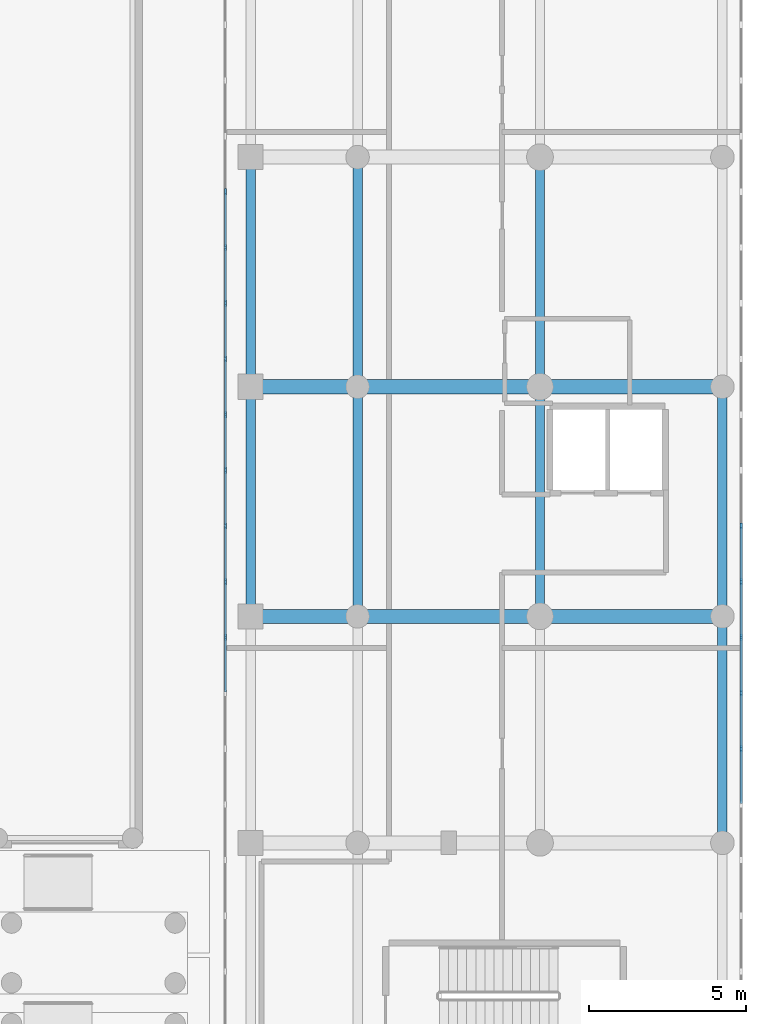
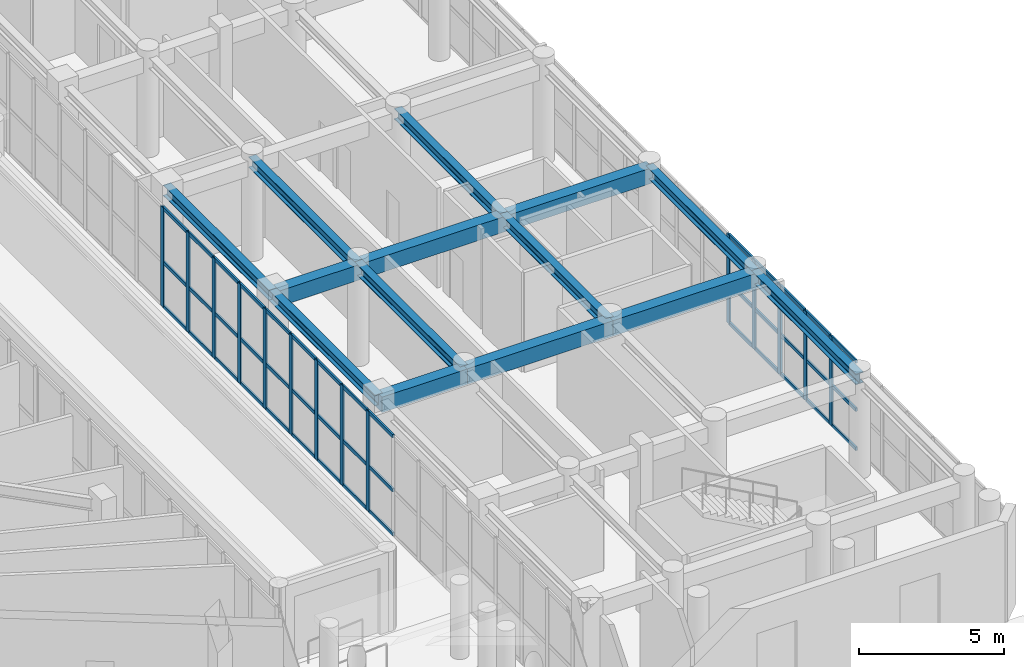
# One storey, part 7 of 30: 56 members, 14 beams, 2 elements without a shape of their own.
"""IFC4 building model written with IfcOpenShell, lengths in metres."""

from ifc_helpers import new_model, si_unit, direction, frame, origin, origin_with_axes, origin_2d, place, context, subcontext, project, spatial, rectangle, i_section, extrude, source, transform, mapped, material, layer, layer_set, material_profile, profile_set, type_object, element, aggregate, save


model = new_model("IFC4")

# Units and contexts
model_context = context("Model", 3, precision=1e-05, world=origin(), true_north=direction((0.0, 1.0)))
body_context = subcontext(model_context, "Body", "Model", "MODEL_VIEW")
ifc_project = project(units=[si_unit("LENGTHUNIT", "METRE"), si_unit("AREAUNIT", "SQUARE_METRE"), si_unit("VOLUMEUNIT", "CUBIC_METRE"), si_unit("PLANEANGLEUNIT", "RADIAN"), si_unit("MASSUNIT", "GRAM", prefix="KILO")], contexts=[model_context])

# Site, building, storey
site_placement = place(None, origin())
site = spatial("IfcSite", under=ifc_project, at=site_placement, CompositionType="ELEMENT")
building_placement = place(site_placement, origin())
building = spatial("IfcBuilding", under=site, at=building_placement, Name="Karkom Vertical University and Central Library", CompositionType="ELEMENT")
storey_placement = place(building_placement, origin())
storey = spatial("IfcBuildingStorey", under=building, at=storey_placement, Name="L00", CompositionType="ELEMENT", Elevation=0.0)

# Beams
ifc_material_1 = material(Name="Concrete C40/50", Category="concrete")
ifc_material_profile_1 = material_profile(ifc_material_1, rectangle(XDim=0.449951171875, YDim=0.64990234375, at=origin_2d()), Name="RCB-450x650")
ifc_profile_set_1 = profile_set([ifc_material_profile_1], Name="Concrete C40/50")
beam_type_1 = type_object("IfcBeamType", Name="STR-BM-BG-4", PredefinedType="USERDEFINED", material=ifc_profile_set_1)
shared_shape_1 = source(origin_with_axes(), body_context, "Body", "SweptSolid", [
    extrude(rectangle(XDim=0.449951171875, YDim=0.64990234375, at=origin_2d()), origin(), (0.0, 0.0, 1.0), 3.400146484375),
])
for number, where, z_axis, x_axis, name in (
    (1, (66.199951171875, 19.199951171875, 3.875), (1.0, 0.0, 0.0), (0.0, 1.0, 0.0), "Level 00 Library Transverse Girder 3.1"),
    (2, (66.199951171875, 26.5, 3.875), (1.0, 0.0, 0.0), (0.0, 1.0, 0.0), "Level 00 Library Transverse Girder 4.1"),
):
    element("IfcBeam", number, at=place(storey_placement, frame(where, z_axis=z_axis, x_axis=x_axis)), inside=storey, type_object=beam_type_1, Name=name, ObjectType="GIRDER", PredefinedType="USERDEFINED", context=body_context, shape_type="MappedRepresentation", body=[
        mapped(shared_shape_1, transform((0.0, 0.0, 0.0), scale=1.0)),
    ])
shared_shape_2 = source(origin_with_axes(), body_context, "Body", "SweptSolid", [
    extrude(rectangle(XDim=0.449951171875, YDim=0.64990234375, at=origin_2d()), origin(), (0.0, 0.0, 1.0), 5.7998046875),
])
for number, where, z_axis, x_axis, name in (
    (3, (69.60009765625, 19.199951171875, 3.875), (1.0, 0.0, 0.0), (0.0, 1.0, 0.0), "Level 00 Library Transverse Girder 3.2"),
    (4, (69.60009765625, 26.5, 3.875), (1.0, 0.0, 0.0), (0.0, 1.0, 0.0), "Level 00 Library Transverse Girder 4.2"),
):
    element("IfcBeam", number, at=place(storey_placement, frame(where, z_axis=z_axis, x_axis=x_axis)), inside=storey, type_object=beam_type_1, Name=name, ObjectType="GIRDER", PredefinedType="USERDEFINED", context=body_context, shape_type="MappedRepresentation", body=[
        mapped(shared_shape_2, transform((0.0, 0.0, 0.0), scale=1.0)),
    ])
shared_shape_3 = source(origin_with_axes(), body_context, "Body", "SweptSolid", [
    extrude(rectangle(XDim=0.449951171875, YDim=0.64990234375, at=origin_2d()), origin(), (0.0, 0.0, 1.0), 5.800048828125),
])
for number, where, z_axis, x_axis, name in (
    (5, (75.39990234375, 19.199951171875, 3.875), (1.0, 0.0, 0.0), (0.0, 1.0, 0.0), "Level 00 Library Transverse Girder 3.3"),
    (6, (75.39990234375, 26.5, 3.875), (1.0, 0.0, 0.0), (0.0, 1.0, 0.0), "Level 00 Library Transverse Girder 4.3"),
):
    element("IfcBeam", number, at=place(storey_placement, frame(where, z_axis=z_axis, x_axis=x_axis)), inside=storey, type_object=beam_type_1, Name=name, ObjectType="GIRDER", PredefinedType="USERDEFINED", context=body_context, shape_type="MappedRepresentation", body=[
        mapped(shared_shape_3, transform((0.0, 0.0, 0.0), scale=1.0)),
    ])
ifc_material_2 = material(Name="Steel S355", Category="steel")
ifc_material_profile_2 = material_profile(ifc_material_2, i_section(OverallWidth=0.300048828125, OverallDepth=0.449951171875, WebThickness=0.013916015625, FlangeThickness=0.02587890625, FilletRadius=0.027099609375, at=origin_2d()), Name="HE 450 B")
ifc_profile_set_2 = profile_set([ifc_material_profile_2], Name="Steel S355")
beam_type_2 = type_object("IfcBeamType", Name="STR-BM-SB-HE450", PredefinedType="BEAM", material=ifc_profile_set_2)
shared_shape_4 = source(origin_with_axes(), body_context, "Body", "SweptSolid", [
    extrude(i_section(OverallWidth=0.300048828125, OverallDepth=0.449951171875, WebThickness=0.013916015625, FlangeThickness=0.02587890625, FilletRadius=0.027099609375, at=origin_2d()), origin(), (0.0, 0.0, 1.0), 7.199951171875),
])
beam_placement = place(storey_placement, frame((81.199951171875, 12.0, 3.97509765625), z_axis=(0.0, 1.0, 0.0), x_axis=(-1.0, 0.0, 0.0)))
element("IfcBeam", 7, at=beam_placement, inside=storey, type_object=beam_type_2, Name="Level 00 Library Longitudinal Beam 4.2", PredefinedType="BEAM", context=body_context, shape_type="MappedRepresentation", body=[
    mapped(shared_shape_4, transform((0.0, 0.0, 0.0), scale=1.0)),
])
shared_shape_5 = source(origin_with_axes(), body_context, "Body", "SweptSolid", [
    extrude(i_section(OverallWidth=0.300048828125, OverallDepth=0.449951171875, WebThickness=0.013916015625, FlangeThickness=0.02587890625, FilletRadius=0.027099609375, at=origin_2d()), origin(), (0.0, 0.0, 1.0), 7.300048828125),
])
for number, where, z_axis, x_axis, name in (
    (8, (66.199951171875, 19.199951171875, 3.97509765625), (0.0, 1.0, 0.0), (-1.0, 0.0, 0.0), "Level 00 Library Longitudinal Beam 1.3"),
    (9, (66.199951171875, 26.5, 3.97509765625), (0.0, 1.0, 0.0), (-1.0, 0.0, 0.0), "Level 00 Library Longitudinal Beam 1.4"),
    (10, (69.60009765625, 19.199951171875, 3.97509765625), (0.0, 1.0, 0.0), (-1.0, 0.0, 0.0), "Level 00 Library Longitudinal Beam 2.3"),
    (11, (69.60009765625, 26.5, 3.97509765625), (0.0, 1.0, 0.0), (-1.0, 0.0, 0.0), "Level 00 Library Longitudinal Beam 2.4"),
    (12, (75.39990234375, 19.199951171875, 3.97509765625), (0.0, 1.0, 0.0), (-1.0, 0.0, 0.0), "Level 00 Library Longitudinal Beam 3.3"),
    (13, (75.39990234375, 26.5, 3.97509765625), (0.0, 1.0, 0.0), (-1.0, 0.0, 0.0), "Level 00 Library Longitudinal Beam 3.4"),
    (14, (81.199951171875, 19.199951171875, 3.97509765625), (0.0, 1.0, 0.0), (-1.0, 0.0, 0.0), "Level 00 Library Longitudinal Beam 4.3"),
):
    element("IfcBeam", number, at=place(storey_placement, frame(where, z_axis=z_axis, x_axis=x_axis)), inside=storey, type_object=beam_type_2, Name=name, PredefinedType="BEAM", context=body_context, shape_type="MappedRepresentation", body=[
        mapped(shared_shape_5, transform((0.0, 0.0, 0.0), scale=1.0)),
    ])

# Curtain wall, members
ifc_material_3 = material(Name="Aluminium curtain-wall framing and low-E IGU", Category="aluminium")
ifc_layer = layer(ifc_material_3, 0.199951171875)
ifc_layer_set = layer_set([ifc_layer], Name="Aluminium curtain-wall framing and low-E IGU")
curtain_wall_type = type_object("IfcCurtainWallType", Name="ENV-CW-1", PredefinedType="USERDEFINED", material=ifc_layer_set)
curtain_wall_1_placement = place(storey_placement, origin())
curtain_wall_1 = element("IfcCurtainWall", 15, at=curtain_wall_1_placement, inside=storey, type_object=curtain_wall_type, Name="Level 00 CW-1 Curtain Wall L00-CW-1-LIB-3", ObjectType="STICK MULLION GLAZING", PredefinedType="USERDEFINED")
ifc_material_4 = material(Name="Anodised Aluminium 6063-T6", Category="aluminium")
ifc_material_profile_3 = material_profile(ifc_material_4, rectangle(XDim=0.070068359375, YDim=0.199951171875, at=origin_2d()), Name="ALU-M70x200")
ifc_profile_set_3 = profile_set([ifc_material_profile_3], Name="Anodised Aluminium 6063-T6")
member_type_1 = type_object("IfcMemberType", Name="ENV-MEM-ALU-M70x200", PredefinedType="MULLION", material=ifc_profile_set_3)
shared_shape_6 = source(origin_with_axes(), body_context, "Body", "SweptSolid", [
    extrude(rectangle(XDim=0.070068359375, YDim=0.199951171875, at=origin_2d()), origin(), (0.0, 0.0, 1.0), 3.75),
])
member_1_placement = place(storey_placement, frame((81.800048828125, 14.99267578125, 0.0), z_axis=(0.0, 0.0, 1.0), x_axis=(-1.0, 0.0, 0.0)))
member_1 = element("IfcMember", 16, at=member_1_placement, type_object=member_type_1, Name="CW-1 mullion 8", PredefinedType="MULLION", context=body_context, shape_type="MappedRepresentation", body=[
    mapped(shared_shape_6, transform((0.0, 0.0, 0.0), scale=1.0)),
])
member_2_placement = place(storey_placement, frame((81.800048828125, 16.762939453125, 0.0), z_axis=(0.0, 0.0, 1.0), x_axis=(-1.0, 0.0, 0.0)))
member_2 = element("IfcMember", 17, at=member_2_placement, type_object=member_type_1, Name="CW-1 mullion 9", PredefinedType="MULLION", context=body_context, shape_type="MappedRepresentation", body=[
    mapped(shared_shape_6, transform((0.0, 0.0, 0.0), scale=1.0)),
])
member_3_placement = place(storey_placement, frame((81.800048828125, 18.533447265625, 0.0), z_axis=(0.0, 0.0, 1.0), x_axis=(-1.0, 0.0, 0.0)))
member_3 = element("IfcMember", 18, at=member_3_placement, type_object=member_type_1, Name="CW-1 mullion 10", PredefinedType="MULLION", context=body_context, shape_type="MappedRepresentation", body=[
    mapped(shared_shape_6, transform((0.0, 0.0, 0.0), scale=1.0)),
])
member_4_placement = place(storey_placement, frame((81.800048828125, 20.3037109375, 0.0), z_axis=(0.0, 0.0, 1.0), x_axis=(-1.0, 0.0, 0.0)))
member_4 = element("IfcMember", 19, at=member_4_placement, type_object=member_type_1, Name="CW-1 mullion 11", PredefinedType="MULLION", context=body_context, shape_type="MappedRepresentation", body=[
    mapped(shared_shape_6, transform((0.0, 0.0, 0.0), scale=1.0)),
])
member_5_placement = place(storey_placement, frame((81.800048828125, 22.073974609375, 0.0), z_axis=(0.0, 0.0, 1.0), x_axis=(-1.0, 0.0, 0.0)))
member_5 = element("IfcMember", 20, at=member_5_placement, type_object=member_type_1, Name="CW-1 mullion 12", PredefinedType="MULLION", context=body_context, shape_type="MappedRepresentation", body=[
    mapped(shared_shape_6, transform((0.0, 0.0, 0.0), scale=1.0)),
])
ifc_material_profile_4 = material_profile(ifc_material_4, rectangle(XDim=0.070068359375, YDim=0.14990234375, at=origin_2d()), Name="ALU-T70x150")
ifc_profile_set_4 = profile_set([ifc_material_profile_4], Name="Anodised Aluminium 6063-T6")
member_type_2 = type_object("IfcMemberType", Name="ENV-MEM-ALU-T70x150", PredefinedType="USERDEFINED", material=ifc_profile_set_4)
shared_shape_7 = source(origin_with_axes(), body_context, "Body", "SweptSolid", [
    extrude(rectangle(XDim=0.070068359375, YDim=0.14990234375, at=origin_2d()), origin(), (0.0, 0.0, 1.0), 1.700439453125),
])
member_6_placement = place(storey_placement, frame((81.800048828125, 15.027587890625, 0.034912109375), z_axis=(0.0, 1.0, 0.0), x_axis=(-1.0, 0.0, 0.0)))
member_6 = element("IfcMember", 21, at=member_6_placement, type_object=member_type_2, Name="CW-1 transom 8.1", ObjectType="TRANSOM", PredefinedType="USERDEFINED", context=body_context, shape_type="MappedRepresentation", body=[
    mapped(shared_shape_7, transform((0.0, 0.0, 0.0), scale=1.0)),
])
member_7_placement = place(storey_placement, frame((81.800048828125, 15.027587890625, 1.6875), z_axis=(0.0, 1.0, 0.0), x_axis=(-1.0, 0.0, 0.0)))
member_7 = element("IfcMember", 22, at=member_7_placement, type_object=member_type_2, Name="CW-1 transom 8.2", ObjectType="TRANSOM", PredefinedType="USERDEFINED", context=body_context, shape_type="MappedRepresentation", body=[
    mapped(shared_shape_7, transform((0.0, 0.0, 0.0), scale=1.0)),
])
member_8_placement = place(storey_placement, frame((81.800048828125, 15.027587890625, 3.715087890625), z_axis=(0.0, 1.0, 0.0), x_axis=(-1.0, 0.0, 0.0)))
member_8 = element("IfcMember", 23, at=member_8_placement, type_object=member_type_2, Name="CW-1 transom 8.3", ObjectType="TRANSOM", PredefinedType="USERDEFINED", context=body_context, shape_type="MappedRepresentation", body=[
    mapped(shared_shape_7, transform((0.0, 0.0, 0.0), scale=1.0)),
])
member_9_placement = place(storey_placement, frame((81.800048828125, 16.7978515625, 0.034912109375), z_axis=(0.0, 1.0, 0.0), x_axis=(-1.0, 0.0, 0.0)))
member_9 = element("IfcMember", 24, at=member_9_placement, type_object=member_type_2, Name="CW-1 transom 9.1", ObjectType="TRANSOM", PredefinedType="USERDEFINED", context=body_context, shape_type="MappedRepresentation", body=[
    mapped(shared_shape_7, transform((0.0, 0.0, 0.0), scale=1.0)),
])
member_10_placement = place(storey_placement, frame((81.800048828125, 16.7978515625, 1.6875), z_axis=(0.0, 1.0, 0.0), x_axis=(-1.0, 0.0, 0.0)))
member_10 = element("IfcMember", 25, at=member_10_placement, type_object=member_type_2, Name="CW-1 transom 9.2", ObjectType="TRANSOM", PredefinedType="USERDEFINED", context=body_context, shape_type="MappedRepresentation", body=[
    mapped(shared_shape_7, transform((0.0, 0.0, 0.0), scale=1.0)),
])
member_11_placement = place(storey_placement, frame((81.800048828125, 16.7978515625, 3.715087890625), z_axis=(0.0, 1.0, 0.0), x_axis=(-1.0, 0.0, 0.0)))
member_11 = element("IfcMember", 26, at=member_11_placement, type_object=member_type_2, Name="CW-1 transom 9.3", ObjectType="TRANSOM", PredefinedType="USERDEFINED", context=body_context, shape_type="MappedRepresentation", body=[
    mapped(shared_shape_7, transform((0.0, 0.0, 0.0), scale=1.0)),
])
member_12_placement = place(storey_placement, frame((81.800048828125, 18.568359375, 0.034912109375), z_axis=(0.0, 1.0, 0.0), x_axis=(-1.0, 0.0, 0.0)))
member_12 = element("IfcMember", 27, at=member_12_placement, type_object=member_type_2, Name="CW-1 transom 10.1", ObjectType="TRANSOM", PredefinedType="USERDEFINED", context=body_context, shape_type="MappedRepresentation", body=[
    mapped(shared_shape_7, transform((0.0, 0.0, 0.0), scale=1.0)),
])
member_13_placement = place(storey_placement, frame((81.800048828125, 18.568359375, 1.6875), z_axis=(0.0, 1.0, 0.0), x_axis=(-1.0, 0.0, 0.0)))
member_13 = element("IfcMember", 28, at=member_13_placement, type_object=member_type_2, Name="CW-1 transom 10.2", ObjectType="TRANSOM", PredefinedType="USERDEFINED", context=body_context, shape_type="MappedRepresentation", body=[
    mapped(shared_shape_7, transform((0.0, 0.0, 0.0), scale=1.0)),
])
member_14_placement = place(storey_placement, frame((81.800048828125, 18.568359375, 3.715087890625), z_axis=(0.0, 1.0, 0.0), x_axis=(-1.0, 0.0, 0.0)))
member_14 = element("IfcMember", 29, at=member_14_placement, type_object=member_type_2, Name="CW-1 transom 10.3", ObjectType="TRANSOM", PredefinedType="USERDEFINED", context=body_context, shape_type="MappedRepresentation", body=[
    mapped(shared_shape_7, transform((0.0, 0.0, 0.0), scale=1.0)),
])
member_15_placement = place(storey_placement, frame((81.800048828125, 20.338623046875, 0.034912109375), z_axis=(0.0, 1.0, 0.0), x_axis=(-1.0, 0.0, 0.0)))
member_15 = element("IfcMember", 30, at=member_15_placement, type_object=member_type_2, Name="CW-1 transom 11.1", ObjectType="TRANSOM", PredefinedType="USERDEFINED", context=body_context, shape_type="MappedRepresentation", body=[
    mapped(shared_shape_7, transform((0.0, 0.0, 0.0), scale=1.0)),
])
member_16_placement = place(storey_placement, frame((81.800048828125, 20.338623046875, 1.6875), z_axis=(0.0, 1.0, 0.0), x_axis=(-1.0, 0.0, 0.0)))
member_16 = element("IfcMember", 31, at=member_16_placement, type_object=member_type_2, Name="CW-1 transom 11.2", ObjectType="TRANSOM", PredefinedType="USERDEFINED", context=body_context, shape_type="MappedRepresentation", body=[
    mapped(shared_shape_7, transform((0.0, 0.0, 0.0), scale=1.0)),
])
member_17_placement = place(storey_placement, frame((81.800048828125, 20.338623046875, 3.715087890625), z_axis=(0.0, 1.0, 0.0), x_axis=(-1.0, 0.0, 0.0)))
member_17 = element("IfcMember", 32, at=member_17_placement, type_object=member_type_2, Name="CW-1 transom 11.3", ObjectType="TRANSOM", PredefinedType="USERDEFINED", context=body_context, shape_type="MappedRepresentation", body=[
    mapped(shared_shape_7, transform((0.0, 0.0, 0.0), scale=1.0)),
])

curtain_wall_2_placement = place(storey_placement, origin())
curtain_wall_2 = element("IfcCurtainWall", 33, at=curtain_wall_2_placement, inside=storey, type_object=curtain_wall_type, Name="Level 00 CW-1 Curtain Wall L00-CW-1-LIB-7", ObjectType="STICK MULLION GLAZING", PredefinedType="USERDEFINED")
member_18_placement = place(storey_placement, frame((65.39990234375, 32.661376953125, 0.034912109375), z_axis=(0.0, -1.0, 0.0), x_axis=(1.0, 0.0, 0.0)))
member_18 = element("IfcMember", 34, at=member_18_placement, type_object=member_type_2, Name="CW-1 transom 11.1", ObjectType="TRANSOM", PredefinedType="USERDEFINED", context=body_context, shape_type="MappedRepresentation", body=[
    mapped(shared_shape_7, transform((0.0, 0.0, 0.0), scale=1.0)),
])
member_19_placement = place(storey_placement, frame((65.39990234375, 32.661376953125, 1.889892578125), z_axis=(0.0, -1.0, 0.0), x_axis=(1.0, 0.0, 0.0)))
member_19 = element("IfcMember", 35, at=member_19_placement, type_object=member_type_2, Name="CW-1 transom 11.2", ObjectType="TRANSOM", PredefinedType="USERDEFINED", context=body_context, shape_type="MappedRepresentation", body=[
    mapped(shared_shape_7, transform((0.0, 0.0, 0.0), scale=1.0)),
])
member_20_placement = place(storey_placement, frame((65.39990234375, 32.661376953125, 4.1650390625), z_axis=(0.0, -1.0, 0.0), x_axis=(1.0, 0.0, 0.0)))
member_20 = element("IfcMember", 36, at=member_20_placement, type_object=member_type_2, Name="CW-1 transom 11.3", ObjectType="TRANSOM", PredefinedType="USERDEFINED", context=body_context, shape_type="MappedRepresentation", body=[
    mapped(shared_shape_7, transform((0.0, 0.0, 0.0), scale=1.0)),
])
member_21_placement = place(storey_placement, frame((65.39990234375, 29.12060546875, 0.034912109375), z_axis=(0.0, -1.0, 0.0), x_axis=(1.0, 0.0, 0.0)))
member_21 = element("IfcMember", 37, at=member_21_placement, type_object=member_type_2, Name="CW-1 transom 13.1", ObjectType="TRANSOM", PredefinedType="USERDEFINED", context=body_context, shape_type="MappedRepresentation", body=[
    mapped(shared_shape_7, transform((0.0, 0.0, 0.0), scale=1.0)),
])
member_22_placement = place(storey_placement, frame((65.39990234375, 29.12060546875, 1.889892578125), z_axis=(0.0, -1.0, 0.0), x_axis=(1.0, 0.0, 0.0)))
member_22 = element("IfcMember", 38, at=member_22_placement, type_object=member_type_2, Name="CW-1 transom 13.2", ObjectType="TRANSOM", PredefinedType="USERDEFINED", context=body_context, shape_type="MappedRepresentation", body=[
    mapped(shared_shape_7, transform((0.0, 0.0, 0.0), scale=1.0)),
])
member_23_placement = place(storey_placement, frame((65.39990234375, 29.12060546875, 4.1650390625), z_axis=(0.0, -1.0, 0.0), x_axis=(1.0, 0.0, 0.0)))
member_23 = element("IfcMember", 39, at=member_23_placement, type_object=member_type_2, Name="CW-1 transom 13.3", ObjectType="TRANSOM", PredefinedType="USERDEFINED", context=body_context, shape_type="MappedRepresentation", body=[
    mapped(shared_shape_7, transform((0.0, 0.0, 0.0), scale=1.0)),
])
member_24_placement = place(storey_placement, frame((65.39990234375, 25.579833984375, 0.034912109375), z_axis=(0.0, -1.0, 0.0), x_axis=(1.0, 0.0, 0.0)))
member_24 = element("IfcMember", 40, at=member_24_placement, type_object=member_type_2, Name="CW-1 transom 15.1", ObjectType="TRANSOM", PredefinedType="USERDEFINED", context=body_context, shape_type="MappedRepresentation", body=[
    mapped(shared_shape_7, transform((0.0, 0.0, 0.0), scale=1.0)),
])
member_25_placement = place(storey_placement, frame((65.39990234375, 25.579833984375, 1.889892578125), z_axis=(0.0, -1.0, 0.0), x_axis=(1.0, 0.0, 0.0)))
member_25 = element("IfcMember", 41, at=member_25_placement, type_object=member_type_2, Name="CW-1 transom 15.2", ObjectType="TRANSOM", PredefinedType="USERDEFINED", context=body_context, shape_type="MappedRepresentation", body=[
    mapped(shared_shape_7, transform((0.0, 0.0, 0.0), scale=1.0)),
])
member_26_placement = place(storey_placement, frame((65.39990234375, 25.579833984375, 4.1650390625), z_axis=(0.0, -1.0, 0.0), x_axis=(1.0, 0.0, 0.0)))
member_26 = element("IfcMember", 42, at=member_26_placement, type_object=member_type_2, Name="CW-1 transom 15.3", ObjectType="TRANSOM", PredefinedType="USERDEFINED", context=body_context, shape_type="MappedRepresentation", body=[
    mapped(shared_shape_7, transform((0.0, 0.0, 0.0), scale=1.0)),
])
member_27_placement = place(storey_placement, frame((65.39990234375, 22.0390625, 0.034912109375), z_axis=(0.0, -1.0, 0.0), x_axis=(1.0, 0.0, 0.0)))
member_27 = element("IfcMember", 43, at=member_27_placement, type_object=member_type_2, Name="CW-1 transom 17.1", ObjectType="TRANSOM", PredefinedType="USERDEFINED", context=body_context, shape_type="MappedRepresentation", body=[
    mapped(shared_shape_7, transform((0.0, 0.0, 0.0), scale=1.0)),
])
member_28_placement = place(storey_placement, frame((65.39990234375, 22.0390625, 1.889892578125), z_axis=(0.0, -1.0, 0.0), x_axis=(1.0, 0.0, 0.0)))
member_28 = element("IfcMember", 44, at=member_28_placement, type_object=member_type_2, Name="CW-1 transom 17.2", ObjectType="TRANSOM", PredefinedType="USERDEFINED", context=body_context, shape_type="MappedRepresentation", body=[
    mapped(shared_shape_7, transform((0.0, 0.0, 0.0), scale=1.0)),
])
member_29_placement = place(storey_placement, frame((65.39990234375, 22.0390625, 4.1650390625), z_axis=(0.0, -1.0, 0.0), x_axis=(1.0, 0.0, 0.0)))
member_29 = element("IfcMember", 45, at=member_29_placement, type_object=member_type_2, Name="CW-1 transom 17.3", ObjectType="TRANSOM", PredefinedType="USERDEFINED", context=body_context, shape_type="MappedRepresentation", body=[
    mapped(shared_shape_7, transform((0.0, 0.0, 0.0), scale=1.0)),
])
member_30_placement = place(storey_placement, frame((65.39990234375, 20.268798828125, 0.034912109375), z_axis=(0.0, -1.0, 0.0), x_axis=(1.0, 0.0, 0.0)))
member_30 = element("IfcMember", 46, at=member_30_placement, type_object=member_type_2, Name="CW-1 transom 18.1", ObjectType="TRANSOM", PredefinedType="USERDEFINED", context=body_context, shape_type="MappedRepresentation", body=[
    mapped(shared_shape_7, transform((0.0, 0.0, 0.0), scale=1.0)),
])
member_31_placement = place(storey_placement, frame((65.39990234375, 20.268798828125, 1.889892578125), z_axis=(0.0, -1.0, 0.0), x_axis=(1.0, 0.0, 0.0)))
member_31 = element("IfcMember", 47, at=member_31_placement, type_object=member_type_2, Name="CW-1 transom 18.2", ObjectType="TRANSOM", PredefinedType="USERDEFINED", context=body_context, shape_type="MappedRepresentation", body=[
    mapped(shared_shape_7, transform((0.0, 0.0, 0.0), scale=1.0)),
])
member_32_placement = place(storey_placement, frame((65.39990234375, 20.268798828125, 4.1650390625), z_axis=(0.0, -1.0, 0.0), x_axis=(1.0, 0.0, 0.0)))
member_32 = element("IfcMember", 48, at=member_32_placement, type_object=member_type_2, Name="CW-1 transom 18.3", ObjectType="TRANSOM", PredefinedType="USERDEFINED", context=body_context, shape_type="MappedRepresentation", body=[
    mapped(shared_shape_7, transform((0.0, 0.0, 0.0), scale=1.0)),
])
member_33_placement = place(storey_placement, frame((65.39990234375, 18.498291015625, 0.034912109375), z_axis=(0.0, -1.0, 0.0), x_axis=(1.0, 0.0, 0.0)))
member_33 = element("IfcMember", 49, at=member_33_placement, type_object=member_type_2, Name="CW-1 transom 19.1", ObjectType="TRANSOM", PredefinedType="USERDEFINED", context=body_context, shape_type="MappedRepresentation", body=[
    mapped(shared_shape_7, transform((0.0, 0.0, 0.0), scale=1.0)),
])
member_34_placement = place(storey_placement, frame((65.39990234375, 18.498291015625, 1.889892578125), z_axis=(0.0, -1.0, 0.0), x_axis=(1.0, 0.0, 0.0)))
member_34 = element("IfcMember", 50, at=member_34_placement, type_object=member_type_2, Name="CW-1 transom 19.2", ObjectType="TRANSOM", PredefinedType="USERDEFINED", context=body_context, shape_type="MappedRepresentation", body=[
    mapped(shared_shape_7, transform((0.0, 0.0, 0.0), scale=1.0)),
])
member_35_placement = place(storey_placement, frame((65.39990234375, 18.498291015625, 4.1650390625), z_axis=(0.0, -1.0, 0.0), x_axis=(1.0, 0.0, 0.0)))
member_35 = element("IfcMember", 51, at=member_35_placement, type_object=member_type_2, Name="CW-1 transom 19.3", ObjectType="TRANSOM", PredefinedType="USERDEFINED", context=body_context, shape_type="MappedRepresentation", body=[
    mapped(shared_shape_7, transform((0.0, 0.0, 0.0), scale=1.0)),
])

# Member
shared_shape_8 = source(origin_with_axes(), body_context, "Body", "SweptSolid", [
    extrude(rectangle(XDim=0.070068359375, YDim=0.14990234375, at=origin_2d()), origin(), (0.0, 0.0, 1.0), 1.7001953125),
])
member_36_placement = place(storey_placement, frame((81.800048828125, 13.25732421875, 0.034912109375), z_axis=(0.0, 1.0, 0.0), x_axis=(-1.0, 0.0, 0.0)))
member_36 = element("IfcMember", 52, at=member_36_placement, type_object=member_type_2, Name="CW-1 transom 7.1", ObjectType="TRANSOM", PredefinedType="USERDEFINED", context=body_context, shape_type="MappedRepresentation", body=[
    mapped(shared_shape_8, transform((0.0, 0.0, 0.0), scale=1.0)),
])

member_37_placement = place(storey_placement, frame((81.800048828125, 13.25732421875, 1.6875), z_axis=(0.0, 1.0, 0.0), x_axis=(-1.0, 0.0, 0.0)))
member_37 = element("IfcMember", 53, at=member_37_placement, type_object=member_type_2, Name="CW-1 transom 7.2", ObjectType="TRANSOM", PredefinedType="USERDEFINED", context=body_context, shape_type="MappedRepresentation", body=[
    mapped(shared_shape_8, transform((0.0, 0.0, 0.0), scale=1.0)),
])

member_38_placement = place(storey_placement, frame((81.800048828125, 13.25732421875, 3.715087890625), z_axis=(0.0, 1.0, 0.0), x_axis=(-1.0, 0.0, 0.0)))
member_38 = element("IfcMember", 54, at=member_38_placement, type_object=member_type_2, Name="CW-1 transom 7.3", ObjectType="TRANSOM", PredefinedType="USERDEFINED", context=body_context, shape_type="MappedRepresentation", body=[
    mapped(shared_shape_8, transform((0.0, 0.0, 0.0), scale=1.0)),
])

aggregate(curtain_wall_1, [member_1, member_2, member_3, member_4, member_5, member_36, member_37, member_38, member_6, member_7, member_8, member_9, member_10, member_11, member_12, member_13, member_14, member_15, member_16, member_17])

member_39_placement = place(storey_placement, frame((65.39990234375, 30.890869140625, 0.034912109375), z_axis=(0.0, -1.0, 0.0), x_axis=(1.0, 0.0, 0.0)))
member_39 = element("IfcMember", 55, at=member_39_placement, type_object=member_type_2, Name="CW-1 transom 12.1", ObjectType="TRANSOM", PredefinedType="USERDEFINED", context=body_context, shape_type="MappedRepresentation", body=[
    mapped(shared_shape_8, transform((0.0, 0.0, 0.0), scale=1.0)),
])

member_40_placement = place(storey_placement, frame((65.39990234375, 30.890869140625, 1.889892578125), z_axis=(0.0, -1.0, 0.0), x_axis=(1.0, 0.0, 0.0)))
member_40 = element("IfcMember", 56, at=member_40_placement, type_object=member_type_2, Name="CW-1 transom 12.2", ObjectType="TRANSOM", PredefinedType="USERDEFINED", context=body_context, shape_type="MappedRepresentation", body=[
    mapped(shared_shape_8, transform((0.0, 0.0, 0.0), scale=1.0)),
])

member_41_placement = place(storey_placement, frame((65.39990234375, 30.890869140625, 4.1650390625), z_axis=(0.0, -1.0, 0.0), x_axis=(1.0, 0.0, 0.0)))
member_41 = element("IfcMember", 57, at=member_41_placement, type_object=member_type_2, Name="CW-1 transom 12.3", ObjectType="TRANSOM", PredefinedType="USERDEFINED", context=body_context, shape_type="MappedRepresentation", body=[
    mapped(shared_shape_8, transform((0.0, 0.0, 0.0), scale=1.0)),
])

member_42_placement = place(storey_placement, frame((65.39990234375, 27.35009765625, 0.034912109375), z_axis=(0.0, -1.0, 0.0), x_axis=(1.0, 0.0, 0.0)))
member_42 = element("IfcMember", 58, at=member_42_placement, type_object=member_type_2, Name="CW-1 transom 14.1", ObjectType="TRANSOM", PredefinedType="USERDEFINED", context=body_context, shape_type="MappedRepresentation", body=[
    mapped(shared_shape_8, transform((0.0, 0.0, 0.0), scale=1.0)),
])

member_43_placement = place(storey_placement, frame((65.39990234375, 27.35009765625, 1.889892578125), z_axis=(0.0, -1.0, 0.0), x_axis=(1.0, 0.0, 0.0)))
member_43 = element("IfcMember", 59, at=member_43_placement, type_object=member_type_2, Name="CW-1 transom 14.2", ObjectType="TRANSOM", PredefinedType="USERDEFINED", context=body_context, shape_type="MappedRepresentation", body=[
    mapped(shared_shape_8, transform((0.0, 0.0, 0.0), scale=1.0)),
])

member_44_placement = place(storey_placement, frame((65.39990234375, 27.35009765625, 4.1650390625), z_axis=(0.0, -1.0, 0.0), x_axis=(1.0, 0.0, 0.0)))
member_44 = element("IfcMember", 60, at=member_44_placement, type_object=member_type_2, Name="CW-1 transom 14.3", ObjectType="TRANSOM", PredefinedType="USERDEFINED", context=body_context, shape_type="MappedRepresentation", body=[
    mapped(shared_shape_8, transform((0.0, 0.0, 0.0), scale=1.0)),
])

member_45_placement = place(storey_placement, frame((65.39990234375, 23.809326171875, 0.034912109375), z_axis=(0.0, -1.0, 0.0), x_axis=(1.0, 0.0, 0.0)))
member_45 = element("IfcMember", 61, at=member_45_placement, type_object=member_type_2, Name="CW-1 transom 16.1", ObjectType="TRANSOM", PredefinedType="USERDEFINED", context=body_context, shape_type="MappedRepresentation", body=[
    mapped(shared_shape_8, transform((0.0, 0.0, 0.0), scale=1.0)),
])

member_46_placement = place(storey_placement, frame((65.39990234375, 23.809326171875, 1.889892578125), z_axis=(0.0, -1.0, 0.0), x_axis=(1.0, 0.0, 0.0)))
member_46 = element("IfcMember", 62, at=member_46_placement, type_object=member_type_2, Name="CW-1 transom 16.2", ObjectType="TRANSOM", PredefinedType="USERDEFINED", context=body_context, shape_type="MappedRepresentation", body=[
    mapped(shared_shape_8, transform((0.0, 0.0, 0.0), scale=1.0)),
])

member_47_placement = place(storey_placement, frame((65.39990234375, 23.809326171875, 4.1650390625), z_axis=(0.0, -1.0, 0.0), x_axis=(1.0, 0.0, 0.0)))
member_47 = element("IfcMember", 63, at=member_47_placement, type_object=member_type_2, Name="CW-1 transom 16.3", ObjectType="TRANSOM", PredefinedType="USERDEFINED", context=body_context, shape_type="MappedRepresentation", body=[
    mapped(shared_shape_8, transform((0.0, 0.0, 0.0), scale=1.0)),
])

shared_shape_9 = source(origin_with_axes(), body_context, "Body", "SweptSolid", [
    extrude(rectangle(XDim=0.070068359375, YDim=0.199951171875, at=origin_2d()), origin(), (0.0, 0.0, 1.0), 4.199951171875),
])
member_48_placement = place(storey_placement, frame((65.39990234375, 32.6962890625, 0.0), z_axis=(0.0, 0.0, 1.0), x_axis=(1.0, 0.0, 0.0)))
member_48 = element("IfcMember", 64, at=member_48_placement, type_object=member_type_1, Name="CW-1 mullion 11", PredefinedType="MULLION", context=body_context, shape_type="MappedRepresentation", body=[
    mapped(shared_shape_9, transform((0.0, 0.0, 0.0), scale=1.0)),
])

member_49_placement = place(storey_placement, frame((65.39990234375, 30.926025390625, 0.0), z_axis=(0.0, 0.0, 1.0), x_axis=(1.0, 0.0, 0.0)))
member_49 = element("IfcMember", 65, at=member_49_placement, type_object=member_type_1, Name="CW-1 mullion 12", PredefinedType="MULLION", context=body_context, shape_type="MappedRepresentation", body=[
    mapped(shared_shape_9, transform((0.0, 0.0, 0.0), scale=1.0)),
])

member_50_placement = place(storey_placement, frame((65.39990234375, 29.155517578125, 0.0), z_axis=(0.0, 0.0, 1.0), x_axis=(1.0, 0.0, 0.0)))
member_50 = element("IfcMember", 66, at=member_50_placement, type_object=member_type_1, Name="CW-1 mullion 13", PredefinedType="MULLION", context=body_context, shape_type="MappedRepresentation", body=[
    mapped(shared_shape_9, transform((0.0, 0.0, 0.0), scale=1.0)),
])

member_51_placement = place(storey_placement, frame((65.39990234375, 27.38525390625, 0.0), z_axis=(0.0, 0.0, 1.0), x_axis=(1.0, 0.0, 0.0)))
member_51 = element("IfcMember", 67, at=member_51_placement, type_object=member_type_1, Name="CW-1 mullion 14", PredefinedType="MULLION", context=body_context, shape_type="MappedRepresentation", body=[
    mapped(shared_shape_9, transform((0.0, 0.0, 0.0), scale=1.0)),
])

member_52_placement = place(storey_placement, frame((65.39990234375, 25.61474609375, 0.0), z_axis=(0.0, 0.0, 1.0), x_axis=(1.0, 0.0, 0.0)))
member_52 = element("IfcMember", 68, at=member_52_placement, type_object=member_type_1, Name="CW-1 mullion 15", PredefinedType="MULLION", context=body_context, shape_type="MappedRepresentation", body=[
    mapped(shared_shape_9, transform((0.0, 0.0, 0.0), scale=1.0)),
])

member_53_placement = place(storey_placement, frame((65.39990234375, 23.844482421875, 0.0), z_axis=(0.0, 0.0, 1.0), x_axis=(1.0, 0.0, 0.0)))
member_53 = element("IfcMember", 69, at=member_53_placement, type_object=member_type_1, Name="CW-1 mullion 16", PredefinedType="MULLION", context=body_context, shape_type="MappedRepresentation", body=[
    mapped(shared_shape_9, transform((0.0, 0.0, 0.0), scale=1.0)),
])

member_54_placement = place(storey_placement, frame((65.39990234375, 22.073974609375, 0.0), z_axis=(0.0, 0.0, 1.0), x_axis=(1.0, 0.0, 0.0)))
member_54 = element("IfcMember", 70, at=member_54_placement, type_object=member_type_1, Name="CW-1 mullion 17", PredefinedType="MULLION", context=body_context, shape_type="MappedRepresentation", body=[
    mapped(shared_shape_9, transform((0.0, 0.0, 0.0), scale=1.0)),
])

member_55_placement = place(storey_placement, frame((65.39990234375, 20.3037109375, 0.0), z_axis=(0.0, 0.0, 1.0), x_axis=(1.0, 0.0, 0.0)))
member_55 = element("IfcMember", 71, at=member_55_placement, type_object=member_type_1, Name="CW-1 mullion 18", PredefinedType="MULLION", context=body_context, shape_type="MappedRepresentation", body=[
    mapped(shared_shape_9, transform((0.0, 0.0, 0.0), scale=1.0)),
])

member_56_placement = place(storey_placement, frame((65.39990234375, 18.533447265625, 0.0), z_axis=(0.0, 0.0, 1.0), x_axis=(1.0, 0.0, 0.0)))
member_56 = element("IfcMember", 72, at=member_56_placement, type_object=member_type_1, Name="CW-1 mullion 19", PredefinedType="MULLION", context=body_context, shape_type="MappedRepresentation", body=[
    mapped(shared_shape_9, transform((0.0, 0.0, 0.0), scale=1.0)),
])

aggregate(curtain_wall_2, [member_48, member_49, member_50, member_51, member_52, member_53, member_54, member_55, member_56, member_18, member_19, member_20, member_39, member_40, member_41, member_21, member_22, member_23, member_42, member_43, member_44, member_24, member_25, member_26, member_45, member_46, member_47, member_27, member_28, member_29, member_30, member_31, member_32, member_33, member_34, member_35])

save(model, "model.ifc")
